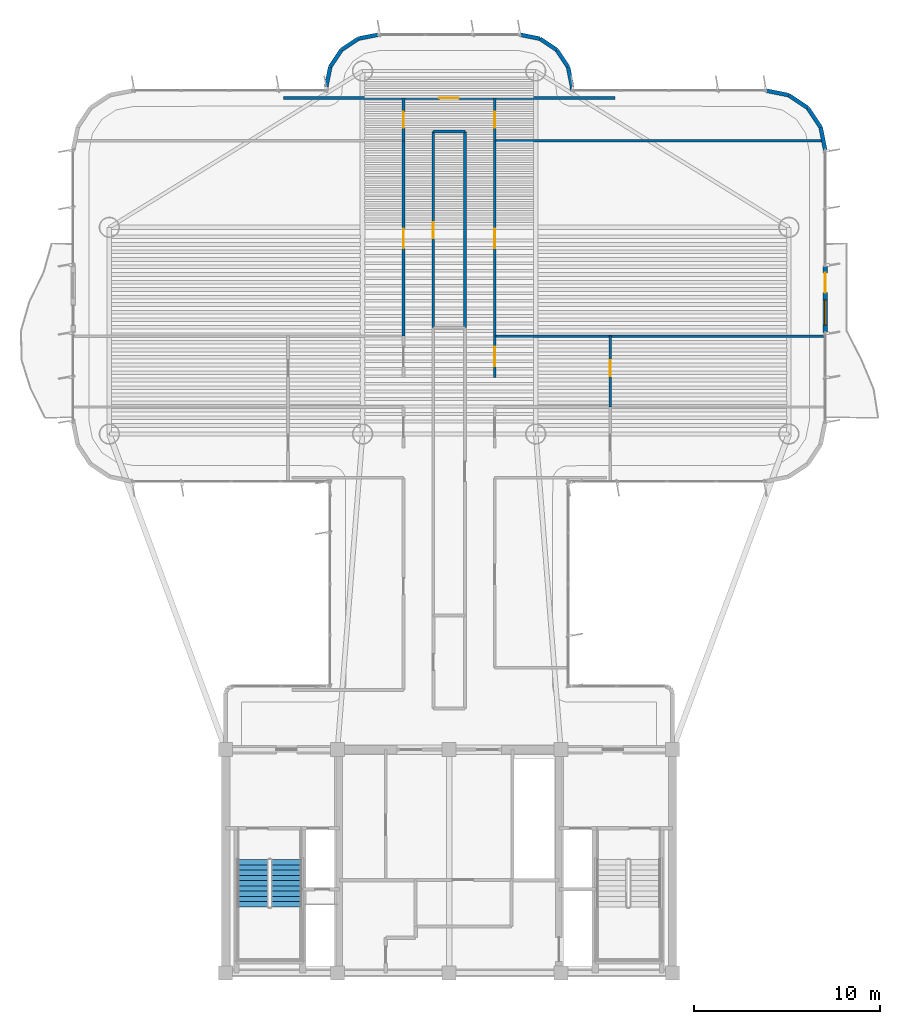
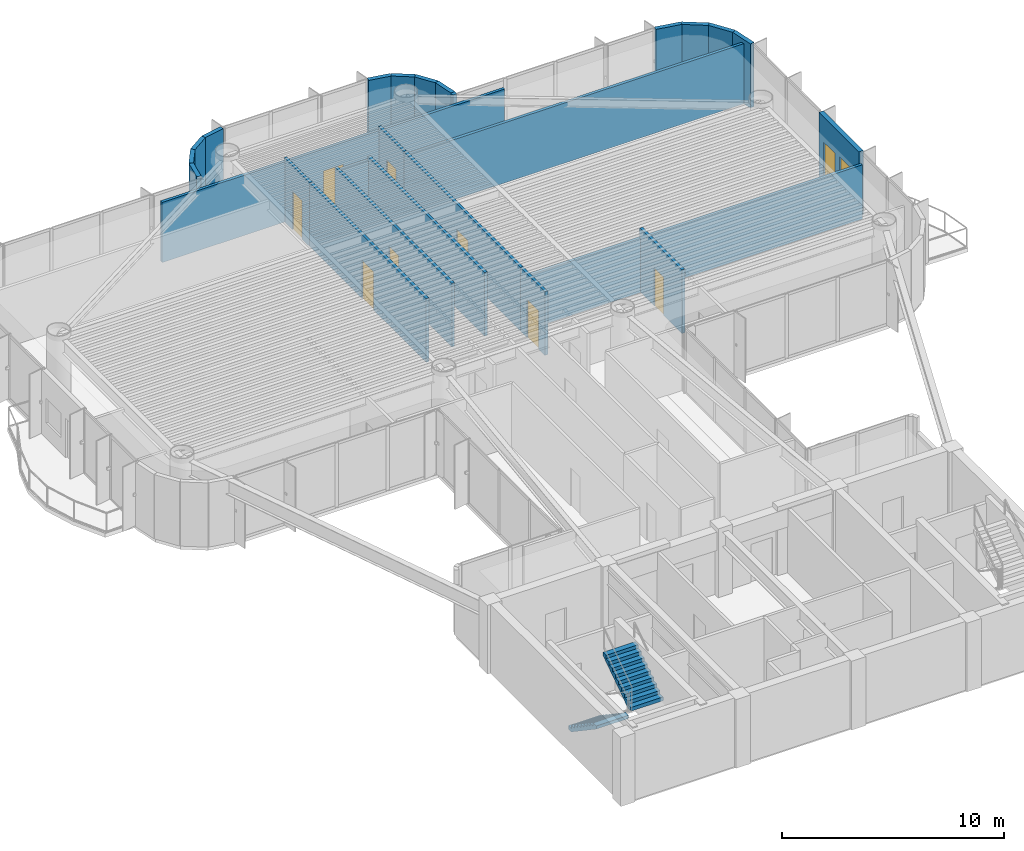
# One storey, part 11 of 14: 26 walls, 9 doors, 2 stair flights, 1 window, 10 openings, 1 element without a shape of its own.
"""IFC4 building model written with IfcOpenShell, lengths in metres."""

from ifc_helpers import new_model, si_unit, direction, frame, frame_2d, origin, origin_2d, place, context, subcontext, project, spatial, polyline, rectangle, outline, extrude, source, transform, mapped, material, layer, layer_set, type_object, element, fill, aggregate, save


model = new_model("IFC4")

# Units and contexts
model_context = context("Model", 3, precision=1e-05, world=origin(), true_north=direction((0.0, 1.0)))
body_context = subcontext(model_context, "Body", "Model", "MODEL_VIEW")
ifc_project = project(units=[si_unit("LENGTHUNIT", "METRE"), si_unit("AREAUNIT", "SQUARE_METRE"), si_unit("VOLUMEUNIT", "CUBIC_METRE"), si_unit("PLANEANGLEUNIT", "RADIAN"), si_unit("MASSUNIT", "GRAM", prefix="KILO")], contexts=[model_context])

# Site, building, storey
site_placement = place(None, origin())
site = spatial("IfcSite", under=ifc_project, at=site_placement, CompositionType="ELEMENT")
building_placement = place(site_placement, origin())
building = spatial("IfcBuilding", under=site, at=building_placement, Name="Brelvock Crest Care Tower", CompositionType="ELEMENT")
storey_placement = place(building_placement, frame((0.0, 0.0, 179.10009765625)))
storey = spatial("IfcBuildingStorey", under=building, at=storey_placement, Name="L45", CompositionType="ELEMENT", Elevation=179.10009765625)

# Wall, openings, door, window
ifc_material_1 = material(Name="Precast concrete N40 (40 MPa)", Category="concrete")
ifc_layer_1 = layer(ifc_material_1, 0.239990234375, Name="WL-EX1")
ifc_layer_set_1 = layer_set([ifc_layer_1], Name="Precast concrete N40 (40 MPa)")
wall_type_1 = type_object("IfcWallType", Name="WL-EX1", PredefinedType="SOLIDWALL", material=ifc_layer_set_1)
wall_1_placement = place(storey_placement, frame((56.199951171875, 44.0, 0.0), z_axis=(0.0, 0.0, 1.0), x_axis=(0.0, -1.0, 0.0)))
wall_1 = element("IfcWall", 1, at=wall_1_placement, inside=storey, type_object=wall_type_1, Name="L45 Exterior Spandrel Wall WL-BAL-L45-E", PredefinedType="SOLIDWALL", context=body_context, shape_type="SweptSolid", body=[
    extrude(rectangle(XDim=3.60009765625, YDim=0.239990234375, at=frame_2d((1.800048828125, 0.0))), origin(), (0.0, 0.0, 1.0), 3.52978515625),
])
opening_1_placement = place(wall_1_placement, frame((0.39990234375, 0.0, 0.0)))
opening_1 = element("IfcOpeningElement", 2, at=opening_1_placement, cuts=wall_1, Name="Opening BD-1", PredefinedType="OPENING", context=body_context, shape_type="SweptSolid", body=[
    extrude(rectangle(XDim=1.050048828125, YDim=2.14990234375, at=origin_2d()), frame((0.52490234375, 0.1298828125, 1.074951171875), z_axis=(0.0, -1.0, 0.0), x_axis=(1.0, 0.0, 0.0)), (0.0, 0.0, 1.0), 0.260009765625),
])
opening_2_placement = place(wall_1_placement, frame((1.85009765625, 0.0, 0.85009765625)))
opening_2 = element("IfcOpeningElement", 3, at=opening_2_placement, cuts=wall_1, Name="Opening W-01", PredefinedType="OPENING", context=body_context, shape_type="SweptSolid", body=[
    extrude(rectangle(XDim=1.35009765625, YDim=1.35009765625, at=origin_2d()), frame((0.675048828125, 0.1298828125, 0.675048828125), z_axis=(0.0, -1.0, 0.0), x_axis=(1.0, 0.0, 0.0)), (0.0, 0.0, 1.0), 0.260009765625),
])
ifc_material_2 = material(Name="Dark Glass Double Glazed Low-E", Category="glass")
door_type_1 = type_object("IfcDoorType", Name="DR-BAL1", OperationType="NOTDEFINED", PredefinedType="DOOR", material=ifc_material_2)
shared_shape_1 = source(origin(), body_context, "Body", "SweptSolid", [
    extrude(rectangle(XDim=1.050048828125, YDim=2.14990234375, at=origin_2d()), frame((0.52490234375, 0.02490234375, 1.074951171875), z_axis=(0.0, -1.0, 0.0), x_axis=(1.0, 0.0, 0.0)), (0.0, 0.0, 1.0), 0.050048828125),
])
door_1_placement = place(opening_1_placement, origin())
door_1 = element("IfcDoor", 4, at=door_1_placement, inside=storey, type_object=door_type_1, Name="L45 E Wave Balcony Glazed Door", OperationType="SINGLE_SWING_RIGHT", OverallHeight=2.14990234375, OverallWidth=1.050048828125, PredefinedType="DOOR", context=body_context, shape_type="MappedRepresentation", body=[
    mapped(shared_shape_1, transform((0.0, 0.0, 0.0), x_axis=(1.0, 0.0, 0.0), y_axis=(0.0, 1.0, 0.0), z_axis=(0.0, 0.0, 1.0), scale=1.0)),
])
fill(opening_1, door_1)
window_type = type_object("IfcWindowType", Name="WN-EX1", PartitioningType="SINGLE_PANEL", PredefinedType="WINDOW", material=ifc_material_2)
shared_shape_2 = source(origin(), body_context, "Body", "SweptSolid", [
    extrude(rectangle(XDim=1.35009765625, YDim=1.35009765625, at=origin_2d()), frame((0.675048828125, 0.030029296875, 0.675048828125), z_axis=(0.0, -1.0, 0.0), x_axis=(1.0, 0.0, 0.0)), (0.0, 0.0, 1.0), 0.06005859375),
])
window_placement = place(opening_2_placement, origin())
window = element("IfcWindow", 5, at=window_placement, inside=storey, type_object=window_type, Name="L45 E Suite Casement Window", OverallHeight=1.35009765625, OverallWidth=1.35009765625, PartitioningType="SINGLE_PANEL", PredefinedType="WINDOW", context=body_context, shape_type="MappedRepresentation", body=[
    mapped(shared_shape_2, transform((0.0, 0.0, 0.0), x_axis=(1.0, 0.0, 0.0), y_axis=(0.0, 1.0, 0.0), z_axis=(0.0, 0.0, 1.0), scale=1.0)),
])
fill(opening_2, window)

# Walls
ifc_layer_2 = layer(ifc_material_1, 0.215087890625, Name="WL-EX2")
ifc_layer_set_2 = layer_set([ifc_layer_2], Name="Precast concrete N40 (40 MPa)")
wall_type_2 = type_object("IfcWallType", Name="WL-EX2", PredefinedType="SOLIDWALL", material=ifc_layer_set_2)
wall_2_placement = place(storey_placement, frame((29.39990234375, 53.60009765625, 0.0), z_axis=(0.0, 0.0, 1.0), x_axis=(0.195127417394, 0.980777900945, 0.0)))
element("IfcWall", 6, at=wall_2_placement, inside=storey, type_object=wall_type_2, Name="L45 Rounded Corner Wall 24", PredefinedType="SOLIDWALL", context=body_context, shape_type="SweptSolid", body=[
    extrude(rectangle(XDim=1.09228515625, YDim=0.215087890625, at=frame_2d((0.546142578125, 0.0))), origin(), (0.0, 0.0, 1.0), 3.52978515625),
])
wall_3_placement = place(storey_placement, frame((29.613037109375, 54.67138671875, 0.0), z_axis=(0.0, 0.0, 1.0), x_axis=(0.555679482341, 0.831396603857, 0.0)))
element("IfcWall", 7, at=wall_3_placement, inside=storey, type_object=wall_type_2, Name="L45 Rounded Corner Wall 25", PredefinedType="SOLIDWALL", context=body_context, shape_type="SweptSolid", body=[
    extrude(rectangle(XDim=1.0927734375, YDim=0.215087890625, at=frame_2d((0.54638671875, 0.0))), origin(), (0.0, 0.0, 1.0), 3.52978515625),
])
for number, where, z_axis, x_axis, name in (
    (8, (30.22021484375, 55.579833984375, 0.0), (0.0, 0.0, 1.0), (0.831327592857, 0.555782721353, 0.0), "L45 Rounded Corner Wall 26"),
    (9, (31.12841796875, 56.18701171875, 0.0), (0.0, 0.0, 1.0), (0.980829143587, 0.194869677195, 0.0), "L45 Rounded Corner Wall 27"),
    (10, (39.800048828125, 56.39990234375, 0.0), (0.0, 0.0, 1.0), (0.980829143587, -0.194869677195, 0.0), "L45 Rounded Corner Wall 29"),
    (11, (40.87158203125, 56.18701171875, 0.0), (0.0, 0.0, 1.0), (0.831327592857, -0.555782721353, 0.0), "L45 Rounded Corner Wall 30"),
):
    element("IfcWall", number, at=place(storey_placement, frame(where, z_axis=z_axis, x_axis=x_axis)), inside=storey, type_object=wall_type_2, Name=name, PredefinedType="SOLIDWALL", context=body_context, shape_type="SweptSolid", body=[
        extrude(rectangle(XDim=1.092529296875, YDim=0.215087890625, at=frame_2d((0.54638671875, 0.0))), origin(), (0.0, 0.0, 1.0), 3.52978515625),
    ])
wall_4_placement = place(storey_placement, frame((41.77978515625, 55.579833984375, 0.0), z_axis=(0.0, 0.0, 1.0), x_axis=(0.555679482341, -0.831396603857, 0.0)))
element("IfcWall", 12, at=wall_4_placement, inside=storey, type_object=wall_type_2, Name="L45 Rounded Corner Wall 31", PredefinedType="SOLIDWALL", context=body_context, shape_type="SweptSolid", body=[
    extrude(rectangle(XDim=1.0927734375, YDim=0.215087890625, at=frame_2d((0.54638671875, 0.0))), origin(), (0.0, 0.0, 1.0), 3.52978515625),
])
wall_5_placement = place(storey_placement, frame((42.386962890625, 54.67138671875, 0.0), z_axis=(0.0, 0.0, 1.0), x_axis=(0.195127417394, -0.980777900945, 0.0)))
element("IfcWall", 13, at=wall_5_placement, inside=storey, type_object=wall_type_2, Name="L45 Rounded Corner Wall 32", PredefinedType="SOLIDWALL", context=body_context, shape_type="SweptSolid", body=[
    extrude(rectangle(XDim=1.09228515625, YDim=0.215087890625, at=frame_2d((0.546142578125, 0.0))), origin(), (0.0, 0.0, 1.0), 3.52978515625),
])
wall_6_placement = place(storey_placement, frame((42.60009765625, 53.60009765625, 0.0), z_axis=(0.0, 0.0, 1.0), x_axis=(0.0, -1.0, 0.0)))
element("IfcWall", 14, at=wall_6_placement, inside=storey, type_object=wall_type_2, Name="L45 Rounded Corner Wall 33", PredefinedType="SOLIDWALL", context=body_context, shape_type="SweptSolid", body=[
    extrude(rectangle(XDim=0.2001953125, YDim=0.215087890625, at=frame_2d((0.10009765625, 0.0))), origin(), (0.0, 0.0, 1.0), 3.52978515625),
])
for number, where, z_axis, x_axis, name in (
    (15, (53.0, 53.39990234375, 0.0), (0.0, 0.0, 1.0), (0.980813122964, -0.194950295773, 0.0), "L45 Rounded Corner Wall 35"),
    (16, (54.224609375, 53.156494140625, 0.0), (0.0, 0.0, 1.0), (0.831387912822, -0.555692485475, 0.0), "L45 Rounded Corner Wall 36"),
    (17, (55.2626953125, 52.462646484375, 0.0), (0.0, 0.0, 1.0), (0.555557312883, -0.831478245117, 0.0), "L45 Rounded Corner Wall 37"),
    (18, (55.956298828125, 51.424560546875, 0.0), (0.0, 0.0, 1.0), (0.195138390419, -0.980775717779, 0.0), "L45 Rounded Corner Wall 38"),
):
    element("IfcWall", number, at=place(storey_placement, frame(where, z_axis=z_axis, x_axis=x_axis)), inside=storey, type_object=wall_type_2, Name=name, PredefinedType="SOLIDWALL", context=body_context, shape_type="SweptSolid", body=[
        extrude(rectangle(XDim=1.24853515625, YDim=0.215087890625, at=frame_2d((0.624267578125, 0.0))), origin(), (0.0, 0.0, 1.0), 3.52978515625),
    ])
ifc_material_3 = material(Name="Masonry Blockwork Acoustic Partition", Category="masonry")
ifc_layer_3 = layer(ifc_material_3, 0.14990234375, Name="WL-INT1")
ifc_layer_set_3 = layer_set([ifc_layer_3], Name="Masonry Blockwork Acoustic Partition")
wall_type_3 = type_object("IfcWallType", Name="WL-INT1", PredefinedType="PARTITIONING", material=ifc_layer_set_3)
wall_7_placement = place(storey_placement, frame((38.449951171875, 40.201904296875, 0.0), z_axis=(0.0, 0.0, 1.0), x_axis=(1.0, 0.0, 0.0)))
element("IfcWall", 19, at=wall_7_placement, inside=storey, type_object=wall_type_3, Name="L45 Interior Wall WL-BX-L45-ERC-S", PredefinedType="PARTITIONING", context=body_context, shape_type="SweptSolid", body=[
    extrude(rectangle(XDim=17.670166015625, YDim=0.14990234375, at=frame_2d((8.8349609375, 0.0))), origin(), (0.0, 0.0, 1.0), 2.98193359375),
])
wall_8_placement = place(storey_placement, frame((38.449951171875, 50.699951171875, 0.0), z_axis=(0.0, 0.0, 1.0), x_axis=(1.0, 0.0, 0.0)))
element("IfcWall", 20, at=wall_8_placement, inside=storey, type_object=wall_type_3, Name="L45 Interior Wall WL-BX-L45-ERC-N", PredefinedType="PARTITIONING", context=body_context, shape_type="SweptSolid", body=[
    extrude(rectangle(XDim=17.569091796875, YDim=0.14990234375, at=frame_2d((8.78466796875, 0.0))), origin(), (0.0, 0.0, 1.0), 3.307861328125),
])
wall_9_placement = place(storey_placement, frame((35.14990234375, 51.199951171875, 0.0), z_axis=(0.0, 0.0, 1.0), x_axis=(1.0, 0.0, 0.0)))
element("IfcWall", 21, at=wall_9_placement, inside=storey, type_object=wall_type_3, Name="L45 Interior Wall WL-BX-L45-ISKT-N", PredefinedType="PARTITIONING", context=body_context, shape_type="SweptSolid", body=[
    extrude(rectangle(XDim=1.7001953125, YDim=0.14990234375, at=frame_2d((0.85009765625, 0.0))), origin(), (0.0, 0.0, 1.0), 3.307861328125),
])

# Wall, opening, door
wall_10_placement = place(storey_placement, frame((27.10009765625, 53.0, 0.0), z_axis=(0.0, 0.0, 1.0), x_axis=(1.0, 0.0, 0.0)))
wall_10 = element("IfcWall", 22, at=wall_10_placement, inside=storey, type_object=wall_type_3, Name="L45 Interior Wall WL-RM-L45-NHUB", PredefinedType="PARTITIONING", context=body_context, shape_type="SweptSolid", body=[
    extrude(rectangle(XDim=17.7998046875, YDim=0.14990234375, at=frame_2d((8.89990234375, 0.0))), origin(), (0.0, 0.0, 1.0), 3.307861328125),
])
opening_3_placement = place(wall_10_placement, frame((8.375, 0.0, 0.0)))
opening_3 = element("IfcOpeningElement", 23, at=opening_3_placement, cuts=wall_10, Name="Opening CLD-1", PredefinedType="OPENING", context=body_context, shape_type="SweptSolid", body=[
    extrude(rectangle(XDim=1.050048828125, YDim=2.10009765625, at=origin_2d()), frame((0.52490234375, 0.0849609375, 1.050048828125), z_axis=(0.0, -1.0, 0.0), x_axis=(1.0, 0.0, 0.0)), (0.0, 0.0, 1.0), 0.169921875),
])
ifc_material_4 = material(Name="Engineered Hardwood Timber", Category="wood")
door_type_2 = type_object("IfcDoorType", Name="DR-CLN1", OperationType="NOTDEFINED", PredefinedType="DOOR", material=ifc_material_4)
shared_shape_3 = source(origin(), body_context, "Body", "SweptSolid", [
    extrude(rectangle(XDim=1.050048828125, YDim=2.10009765625, at=origin_2d()), frame((0.52490234375, 0.02490234375, 1.050048828125), z_axis=(0.0, -1.0, 0.0), x_axis=(1.0, 0.0, 0.0)), (0.0, 0.0, 1.0), 0.050048828125),
])
door_2_placement = place(opening_3_placement, origin())
door_2 = element("IfcDoor", 24, at=door_2_placement, inside=storey, type_object=door_type_2, Name="L45 North Crest Conservatory Lounge Door NHUB", OperationType="SINGLE_SWING_LEFT", OverallHeight=2.10009765625, OverallWidth=1.050048828125, PredefinedType="DOOR", context=body_context, shape_type="MappedRepresentation", body=[
    mapped(shared_shape_3, transform((0.0, 0.0, 0.0), x_axis=(1.0, 0.0, 0.0), y_axis=(0.0, 1.0, 0.0), z_axis=(0.0, 0.0, 1.0), scale=1.0)),
])
fill(opening_3, door_2)

wall_11_placement = place(storey_placement, frame((33.550048828125, 40.201904296875, 0.0), z_axis=(0.0, 0.0, 1.0), x_axis=(0.0, 1.0, 0.0)))
wall_11 = element("IfcWall", 25, at=wall_11_placement, inside=storey, type_object=wall_type_3, Name="L45 Interior Wall WL-RM-L45-WRC", PredefinedType="PARTITIONING", context=body_context, shape_type="SweptSolid", body=[
    extrude(rectangle(XDim=10.498046875, YDim=0.14990234375, at=frame_2d((5.2490234375, 0.0))), origin(), (0.0, 0.0, 1.0), 3.5),
])
opening_4_placement = place(wall_11_placement, frame((4.72412109375, 0.0, 0.0)))
opening_4 = element("IfcOpeningElement", 26, at=opening_4_placement, cuts=wall_11, Name="Opening CLD-1", PredefinedType="OPENING", context=body_context, shape_type="SweptSolid", body=[
    extrude(rectangle(XDim=1.050048828125, YDim=2.10009765625, at=origin_2d()), frame((0.52490234375, 0.0849609375, 1.050048828125), z_axis=(0.0, -1.0, 0.0), x_axis=(1.0, 0.0, 0.0)), (0.0, 0.0, 1.0), 0.169921875),
])
door_3_placement = place(opening_4_placement, origin())
door_3 = element("IfcDoor", 27, at=door_3_placement, inside=storey, type_object=door_type_2, Name="L45 Neurological Rehab Studio Door WRC", OperationType="SINGLE_SWING_LEFT", OverallHeight=2.10009765625, OverallWidth=1.050048828125, PredefinedType="DOOR", context=body_context, shape_type="MappedRepresentation", body=[
    mapped(shared_shape_3, transform((0.0, 0.0, 0.0), x_axis=(1.0, 0.0, 0.0), y_axis=(0.0, 1.0, 0.0), z_axis=(0.0, 0.0, 1.0), scale=1.0)),
])
fill(opening_4, door_3)

wall_12_placement = place(storey_placement, frame((33.550048828125, 50.699951171875, 0.0), z_axis=(0.0, 0.0, 1.0), x_axis=(0.0, 1.0, 0.0)))
wall_12 = element("IfcWall", 28, at=wall_12_placement, inside=storey, type_object=wall_type_3, Name="L45 Interior Wall WL-RM-L45-NALW", PredefinedType="PARTITIONING", context=body_context, shape_type="SweptSolid", body=[
    extrude(rectangle(XDim=2.300048828125, YDim=0.14990234375, at=frame_2d((1.14990234375, 0.0))), origin(), (0.0, 0.0, 1.0), 3.5),
])
opening_5_placement = place(wall_12_placement, frame((0.68994140625, 0.0, 0.0)))
opening_5 = element("IfcOpeningElement", 29, at=opening_5_placement, cuts=wall_12, Name="Opening ID-1", PredefinedType="OPENING", context=body_context, shape_type="SweptSolid", body=[
    extrude(rectangle(XDim=0.860107421875, YDim=2.10009765625, at=origin_2d()), frame((0.43017578125, 0.0849609375, 1.050048828125), z_axis=(0.0, -1.0, 0.0), x_axis=(1.0, 0.0, 0.0)), (0.0, 0.0, 1.0), 0.169921875),
])
door_type_3 = type_object("IfcDoorType", Name="DR-INT1", OperationType="NOTDEFINED", PredefinedType="DOOR", material=ifc_material_4)
shared_shape_4 = source(origin(), body_context, "Body", "SweptSolid", [
    extrude(rectangle(XDim=0.860107421875, YDim=2.10009765625, at=origin_2d()), frame((0.43017578125, 0.02490234375, 1.050048828125), z_axis=(0.0, -1.0, 0.0), x_axis=(1.0, 0.0, 0.0)), (0.0, 0.0, 1.0), 0.050048828125),
])
door_4_placement = place(opening_5_placement, origin())
door_4 = element("IfcDoor", 30, at=door_4_placement, inside=storey, type_object=door_type_3, Name="L45 North West Sun Alcove Door NALW", OperationType="SINGLE_SWING_LEFT", OverallHeight=2.10009765625, OverallWidth=0.860107421875, PredefinedType="DOOR", context=body_context, shape_type="MappedRepresentation", body=[
    mapped(shared_shape_4, transform((0.0, 0.0, 0.0), x_axis=(1.0, 0.0, 0.0), y_axis=(0.0, 1.0, 0.0), z_axis=(0.0, 0.0, 1.0), scale=1.0)),
])
fill(opening_5, door_4)

wall_13_placement = place(storey_placement, frame((35.14990234375, 40.659912109375, 0.0), z_axis=(0.0, 0.0, 1.0), x_axis=(0.0, 1.0, 0.0)))
wall_13 = element("IfcWall", 31, at=wall_13_placement, inside=storey, type_object=wall_type_3, Name="L45 Interior Wall WL-RM-L45-ISKT", PredefinedType="PARTITIONING", context=body_context, shape_type="SweptSolid", body=[
    extrude(rectangle(XDim=10.5400390625, YDim=0.14990234375, at=frame_2d((5.27001953125, 0.0))), origin(), (0.0, 0.0, 1.0), 3.5),
])
opening_6_placement = place(wall_13_placement, frame((4.81005859375, 0.0, 0.0)))
opening_6 = element("IfcOpeningElement", 32, at=opening_6_placement, cuts=wall_13, Name="Opening ID-1", PredefinedType="OPENING", context=body_context, shape_type="SweptSolid", body=[
    extrude(rectangle(XDim=0.860107421875, YDim=2.10009765625, at=origin_2d()), frame((0.43017578125, 0.0849609375, 1.050048828125), z_axis=(0.0, -1.0, 0.0), x_axis=(1.0, 0.0, 0.0)), (0.0, 0.0, 1.0), 0.169921875),
])
door_5_placement = place(opening_6_placement, origin())
door_5 = element("IfcDoor", 33, at=door_5_placement, inside=storey, type_object=door_type_3, Name="L45 Communal Tea and Nutrition Pantry Door ISKT", OperationType="SINGLE_SWING_LEFT", OverallHeight=2.10009765625, OverallWidth=0.860107421875, PredefinedType="DOOR", context=body_context, shape_type="MappedRepresentation", body=[
    mapped(shared_shape_4, transform((0.0, 0.0, 0.0), x_axis=(1.0, 0.0, 0.0), y_axis=(0.0, 1.0, 0.0), z_axis=(0.0, 0.0, 1.0), scale=1.0)),
])
fill(opening_6, door_5)

# Wall
wall_14_placement = place(storey_placement, frame((36.85009765625, 40.659912109375, 0.0), z_axis=(0.0, 0.0, 1.0), x_axis=(0.0, 1.0, 0.0)))
element("IfcWall", 34, at=wall_14_placement, inside=storey, type_object=wall_type_3, Name="L45 Interior Wall WL-BX-L45-ISKT-E", PredefinedType="PARTITIONING", context=body_context, shape_type="SweptSolid", body=[
    extrude(rectangle(XDim=10.5400390625, YDim=0.14990234375, at=frame_2d((5.27001953125, 0.0))), origin(), (0.0, 0.0, 1.0), 3.5),
])

# Wall, opening, door
wall_15_placement = place(storey_placement, frame((38.449951171875, 37.9970703125, 0.0), z_axis=(0.0, 0.0, 1.0), x_axis=(0.0, 1.0, 0.0)))
wall_15 = element("IfcWall", 35, at=wall_15_placement, inside=storey, type_object=wall_type_3, Name="L45 Interior Wall WL-CENT-L45-ER1B", PredefinedType="PARTITIONING", context=body_context, shape_type="SweptSolid", body=[
    extrude(rectangle(XDim=2.204833984375, YDim=0.14990234375, at=frame_2d((1.1025390625, 0.0))), origin(), (0.0, 0.0, 1.0), 3.5),
])
opening_7_placement = place(wall_15_placement, frame((0.58203125, 0.0, 0.0)))
opening_7 = element("IfcOpeningElement", 36, at=opening_7_placement, cuts=wall_15, Name="Opening CD-1", PredefinedType="OPENING", context=body_context, shape_type="SweptSolid", body=[
    extrude(rectangle(XDim=1.050048828125, YDim=2.10009765625, at=origin_2d()), frame((0.52490234375, 0.0849609375, 1.050048828125), z_axis=(0.0, -1.0, 0.0), x_axis=(1.0, 0.0, 0.0)), (0.0, 0.0, 1.0), 0.169921875),
])
door_type_4 = type_object("IfcDoorType", Name="DR-CARE1", OperationType="NOTDEFINED", PredefinedType="DOOR", material=ifc_material_4)
shared_shape_5 = source(origin(), body_context, "Body", "SweptSolid", [
    extrude(rectangle(XDim=1.050048828125, YDim=2.10009765625, at=origin_2d()), frame((0.52490234375, 0.02490234375, 1.050048828125), z_axis=(0.0, -1.0, 0.0), x_axis=(1.0, 0.0, 0.0)), (0.0, 0.0, 1.0), 0.050048828125),
])
door_6_placement = place(opening_7_placement, origin())
door_6 = element("IfcDoor", 37, at=door_6_placement, inside=storey, type_object=door_type_4, Name="L45 Care Suite Door ER1B", OperationType="SINGLE_SWING_LEFT", OverallHeight=2.10009765625, OverallWidth=1.050048828125, PredefinedType="DOOR", context=body_context, shape_type="MappedRepresentation", body=[
    mapped(shared_shape_5, transform((0.0, 0.0, 0.0), x_axis=(1.0, 0.0, 0.0), y_axis=(0.0, 1.0, 0.0), z_axis=(0.0, 0.0, 1.0), scale=1.0)),
])
fill(opening_7, door_6)

wall_16_placement = place(storey_placement, frame((38.449951171875, 40.201904296875, 0.0), z_axis=(0.0, 0.0, 1.0), x_axis=(0.0, 1.0, 0.0)))
wall_16 = element("IfcWall", 38, at=wall_16_placement, inside=storey, type_object=wall_type_3, Name="L45 Interior Wall WL-RM-L45-ERC", PredefinedType="PARTITIONING", context=body_context, shape_type="SweptSolid", body=[
    extrude(rectangle(XDim=10.498046875, YDim=0.14990234375, at=frame_2d((5.2490234375, 0.0))), origin(), (0.0, 0.0, 1.0), 3.5),
])
opening_8_placement = place(wall_16_placement, frame((4.72412109375, 0.0, 0.0)))
opening_8 = element("IfcOpeningElement", 39, at=opening_8_placement, cuts=wall_16, Name="Opening CLD-1", PredefinedType="OPENING", context=body_context, shape_type="SweptSolid", body=[
    extrude(rectangle(XDim=1.050048828125, YDim=2.10009765625, at=origin_2d()), frame((0.52490234375, 0.0849609375, 1.050048828125), z_axis=(0.0, -1.0, 0.0), x_axis=(1.0, 0.0, 0.0)), (0.0, 0.0, 1.0), 0.169921875),
])
door_7_placement = place(opening_8_placement, origin())
door_7 = element("IfcDoor", 40, at=door_7_placement, inside=storey, type_object=door_type_2, Name="L45 Cardiopulmonary Rehab Suite Door ERC", OperationType="SINGLE_SWING_LEFT", OverallHeight=2.10009765625, OverallWidth=1.050048828125, PredefinedType="DOOR", context=body_context, shape_type="MappedRepresentation", body=[
    mapped(shared_shape_3, transform((0.0, 0.0, 0.0), x_axis=(1.0, 0.0, 0.0), y_axis=(0.0, 1.0, 0.0), z_axis=(0.0, 0.0, 1.0), scale=1.0)),
])
fill(opening_8, door_7)

wall_17_placement = place(storey_placement, frame((38.449951171875, 50.699951171875, 0.0), z_axis=(0.0, 0.0, 1.0), x_axis=(0.0, 1.0, 0.0)))
wall_17 = element("IfcWall", 41, at=wall_17_placement, inside=storey, type_object=wall_type_3, Name="L45 Interior Wall WL-RM-L45-NALE", PredefinedType="PARTITIONING", context=body_context, shape_type="SweptSolid", body=[
    extrude(rectangle(XDim=2.300048828125, YDim=0.14990234375, at=frame_2d((1.14990234375, 0.0))), origin(), (0.0, 0.0, 1.0), 3.5),
])
opening_9_placement = place(wall_17_placement, frame((0.68994140625, 0.0, 0.0)))
opening_9 = element("IfcOpeningElement", 42, at=opening_9_placement, cuts=wall_17, Name="Opening ID-1", PredefinedType="OPENING", context=body_context, shape_type="SweptSolid", body=[
    extrude(rectangle(XDim=0.860107421875, YDim=2.10009765625, at=origin_2d()), frame((0.43017578125, 0.0849609375, 1.050048828125), z_axis=(0.0, -1.0, 0.0), x_axis=(1.0, 0.0, 0.0)), (0.0, 0.0, 1.0), 0.169921875),
])
door_8_placement = place(opening_9_placement, origin())
door_8 = element("IfcDoor", 43, at=door_8_placement, inside=storey, type_object=door_type_3, Name="L45 North East Tea Alcove Door NALE", OperationType="SINGLE_SWING_LEFT", OverallHeight=2.10009765625, OverallWidth=0.860107421875, PredefinedType="DOOR", context=body_context, shape_type="MappedRepresentation", body=[
    mapped(shared_shape_4, transform((0.0, 0.0, 0.0), x_axis=(1.0, 0.0, 0.0), y_axis=(0.0, 1.0, 0.0), z_axis=(0.0, 0.0, 1.0), scale=1.0)),
])
fill(opening_9, door_8)

wall_18_placement = place(storey_placement, frame((44.64990234375, 36.40087890625, 0.0), z_axis=(0.0, 0.0, 1.0), x_axis=(0.0, 1.0, 0.0)))
wall_18 = element("IfcWall", 44, at=wall_18_placement, inside=storey, type_object=wall_type_3, Name="L45 Interior Wall WL-RM-L45-ER1BS", PredefinedType="PARTITIONING", context=body_context, shape_type="SweptSolid", body=[
    extrude(rectangle(XDim=3.801025390625, YDim=0.14990234375, at=frame_2d((1.900390625, 0.0))), origin(), (0.0, 0.0, 1.0), 3.5),
])
opening_10_placement = place(wall_18_placement, frame((1.638916015625, 0.0, 0.0)))
opening_10 = element("IfcOpeningElement", 45, at=opening_10_placement, cuts=wall_18, Name="Opening ID-1", PredefinedType="OPENING", context=body_context, shape_type="SweptSolid", body=[
    extrude(rectangle(XDim=0.860107421875, YDim=2.10009765625, at=origin_2d()), frame((0.43017578125, 0.0849609375, 1.050048828125), z_axis=(0.0, -1.0, 0.0), x_axis=(1.0, 0.0, 0.0)), (0.0, 0.0, 1.0), 0.169921875),
])
door_9_placement = place(opening_10_placement, origin())
door_9 = element("IfcDoor", 46, at=door_9_placement, inside=storey, type_object=door_type_3, Name="L45 Rehab Recovery Mobility Store Door ER1BS", OperationType="SINGLE_SWING_LEFT", OverallHeight=2.10009765625, OverallWidth=0.860107421875, PredefinedType="DOOR", context=body_context, shape_type="MappedRepresentation", body=[
    mapped(shared_shape_4, transform((0.0, 0.0, 0.0), x_axis=(1.0, 0.0, 0.0), y_axis=(0.0, 1.0, 0.0), z_axis=(0.0, 0.0, 1.0), scale=1.0)),
])
fill(opening_10, door_9)

# Stair, stair flights
ifc_material_5 = material(Name="Concrete N40 (40 MPa)", Category="concrete")
stair_type = type_object("IfcStairType", Name="ST-CORE1", PredefinedType="HALF_TURN_STAIR", material=ifc_material_5)
stair_placement = place(storey_placement, origin())
stair = element("IfcStair", 47, at=stair_placement, inside=storey, type_object=stair_type, Name="L45 Fire-Isolated Core Stair ST-1", PredefinedType="HALF_TURN_STAIR")
stair_flight_type = type_object("IfcStairFlightType", Name="STF-1", PredefinedType="STRAIGHT", material=ifc_material_5)
stair_flight_1_placement = place(storey_placement, frame((25.469970703125, 12.080078125, 0.0), z_axis=(0.0, 0.0, 1.0), x_axis=(0.0, -1.0, 0.0)))
stair_flight_1 = element("IfcStairFlight", 48, at=stair_flight_1_placement, type_object=stair_flight_type, Name="ST-1 flight 1", NumberOfRisers=10, NumberOfTreads=9, PredefinedType="STRAIGHT", RiserHeight=0.189, TreadLength=0.28, context=body_context, shape_type="SweptSolid", body=[
    extrude(outline(polyline([(-0.00390625, -0.014892578125), (-0.00390625, -0.0078125), (-0.00390625, -0.00048828125), (-0.00390625, 0.0068359375), (-0.00390625, 0.01416015625), (-0.00390625, 0.021484375), (-0.00390625, 0.02880859375), (-0.00390625, 0.035888671875), (-0.00390625, 0.043212890625), (-0.00390625, 0.050537109375), (-0.00390625, 0.057861328125), (-0.00390625, 0.065185546875), (-0.00390625, 0.072509765625), (-0.00390625, 0.07958984375), (-0.00390625, 0.0869140625), (-0.00390625, 0.09423828125), (-0.00390625, 0.1015625), (-0.00390625, 0.10888671875), (-0.00390625, 0.1162109375), (-0.00390625, 0.12353515625), (-0.00390625, 0.130615234375), (-0.00390625, 0.137939453125), (-0.00390625, 0.145263671875), (-0.00390625, 0.152587890625), (-0.00390625, 0.159912109375), (-0.00390625, 0.167236328125), (-0.00390625, 0.17431640625), (-0.00390625, 0.181640625), (-0.00390625, 0.18896484375), (0.0, 0.18896484375), (0.280029296875, 0.18896484375), (0.280029296875, 0.3779296875), (0.56005859375, 0.3779296875), (0.56005859375, 0.56689453125), (0.840087890625, 0.56689453125), (0.840087890625, 0.756103515625), (1.1201171875, 0.756103515625), (1.1201171875, 0.945068359375), (1.39990234375, 0.945068359375), (1.39990234375, 1.134033203125), (1.679931640625, 1.134033203125), (1.679931640625, 1.322998046875), (1.9599609375, 1.322998046875), (1.9599609375, 1.511962890625), (2.239990234375, 1.511962890625), (2.239990234375, 1.700927734375), (2.52001953125, 1.700927734375), (2.52392578125, 1.700927734375), (2.523681640625, 1.70068359375), (2.52392578125, 1.700439453125), (2.523681640625, 1.699951171875), (2.52392578125, 1.69970703125), (2.523681640625, 1.699462890625), (2.52392578125, 1.698974609375), (2.523681640625, 1.69873046875), (2.52392578125, 1.698486328125), (2.523681640625, 1.697998046875), (2.52392578125, 1.69775390625), (2.523681640625, 1.697509765625), (2.52392578125, 1.697021484375), (2.523681640625, 1.69677734375), (2.52392578125, 1.696533203125), (2.523681640625, 1.6962890625), (2.52392578125, 1.69580078125), (2.523681640625, 1.695556640625), (2.52392578125, 1.6953125), (2.523681640625, 1.69482421875), (2.52392578125, 1.694580078125), (2.523681640625, 1.6943359375), (2.52392578125, 1.69384765625), (2.523681640625, 1.693603515625), (2.52392578125, 1.693359375), (2.523681640625, 1.69287109375), (2.52392578125, 1.692626953125), (2.523681640625, 1.6923828125), (2.52392578125, 1.69189453125), (2.52001953125, 1.520263671875), (0.267822265625, 0.0), (0.0, 0.0), (0.0, -0.014892578125), (-0.00390625, -0.014892578125)])), frame((0.0, 0.83984375, 0.0), z_axis=(0.0, -1.0, 0.0), x_axis=(1.0, 0.0, 0.0)), (0.0, 0.0, 1.0), 1.679931640625),
])
stair_flight_2_placement = place(storey_placement, frame((27.27001953125, 9.56005859375, 1.889892578125), z_axis=(0.0, 0.0, 1.0), x_axis=(0.0, 1.0, 0.0)))
stair_flight_2 = element("IfcStairFlight", 49, at=stair_flight_2_placement, type_object=stair_flight_type, Name="ST-1 flight 2", NumberOfRisers=10, NumberOfTreads=9, PredefinedType="STRAIGHT", RiserHeight=0.189, TreadLength=0.28, context=body_context, shape_type="SweptSolid", body=[
    extrude(outline(polyline([(-0.00390625, -0.014892578125), (-0.00390625, -0.0078125), (-0.00390625, -0.00048828125), (-0.00390625, 0.0068359375), (-0.00390625, 0.01416015625), (-0.00390625, 0.021484375), (-0.00390625, 0.02880859375), (-0.00390625, 0.035888671875), (-0.00390625, 0.043212890625), (-0.00390625, 0.050537109375), (-0.00390625, 0.057861328125), (-0.00390625, 0.065185546875), (-0.00390625, 0.072509765625), (-0.00390625, 0.07958984375), (-0.00390625, 0.0869140625), (-0.00390625, 0.09423828125), (-0.00390625, 0.1015625), (-0.00390625, 0.10888671875), (-0.00390625, 0.1162109375), (-0.00390625, 0.12353515625), (-0.00390625, 0.130615234375), (-0.00390625, 0.137939453125), (-0.00390625, 0.145263671875), (-0.00390625, 0.152587890625), (-0.00390625, 0.159912109375), (-0.00390625, 0.167236328125), (-0.00390625, 0.17431640625), (-0.00390625, 0.181640625), (-0.00390625, 0.18896484375), (0.0, 0.18896484375), (0.280029296875, 0.18896484375), (0.280029296875, 0.3779296875), (0.56005859375, 0.3779296875), (0.56005859375, 0.56689453125), (0.840087890625, 0.56689453125), (0.840087890625, 0.756103515625), (1.1201171875, 0.756103515625), (1.1201171875, 0.945068359375), (1.39990234375, 0.945068359375), (1.39990234375, 1.134033203125), (1.679931640625, 1.134033203125), (1.679931640625, 1.322998046875), (1.9599609375, 1.322998046875), (1.9599609375, 1.511962890625), (2.239990234375, 1.511962890625), (2.239990234375, 1.700927734375), (2.52001953125, 1.700927734375), (2.52392578125, 1.700927734375), (2.523681640625, 1.70068359375), (2.52392578125, 1.700439453125), (2.523681640625, 1.699951171875), (2.52392578125, 1.69970703125), (2.523681640625, 1.699462890625), (2.52392578125, 1.698974609375), (2.523681640625, 1.69873046875), (2.52392578125, 1.698486328125), (2.523681640625, 1.697998046875), (2.52392578125, 1.69775390625), (2.523681640625, 1.697509765625), (2.52392578125, 1.697021484375), (2.523681640625, 1.69677734375), (2.52392578125, 1.696533203125), (2.523681640625, 1.6962890625), (2.52392578125, 1.69580078125), (2.523681640625, 1.695556640625), (2.52392578125, 1.6953125), (2.523681640625, 1.69482421875), (2.52392578125, 1.694580078125), (2.523681640625, 1.6943359375), (2.52392578125, 1.69384765625), (2.523681640625, 1.693603515625), (2.52392578125, 1.693359375), (2.523681640625, 1.69287109375), (2.52392578125, 1.692626953125), (2.523681640625, 1.6923828125), (2.52392578125, 1.69189453125), (2.52001953125, 1.520263671875), (0.267822265625, 0.0), (0.0, 0.0), (0.0, -0.014892578125), (-0.00390625, -0.014892578125)])), frame((0.0, 0.83984375, 0.0), z_axis=(0.0, -1.0, 0.0), x_axis=(1.0, 0.0, 0.0)), (0.0, 0.0, 1.0), 1.679931640625),
])
aggregate(stair, [stair_flight_1, stair_flight_2])

save(model, "model.ifc")
